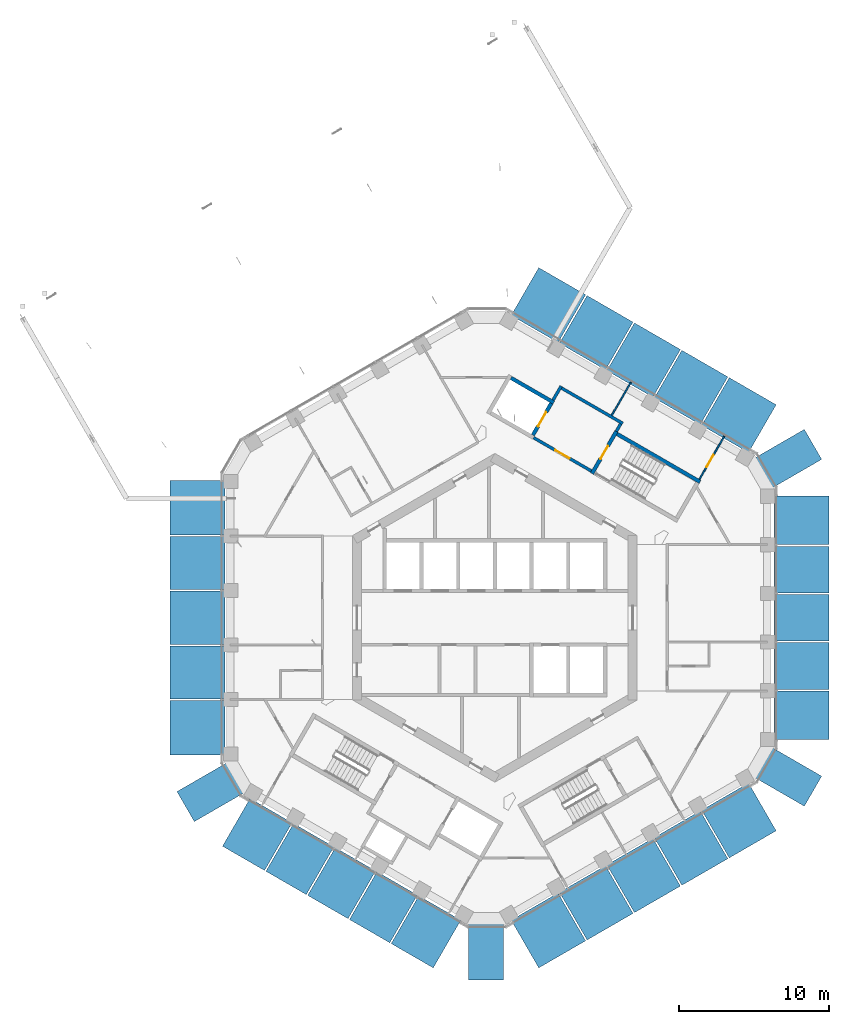
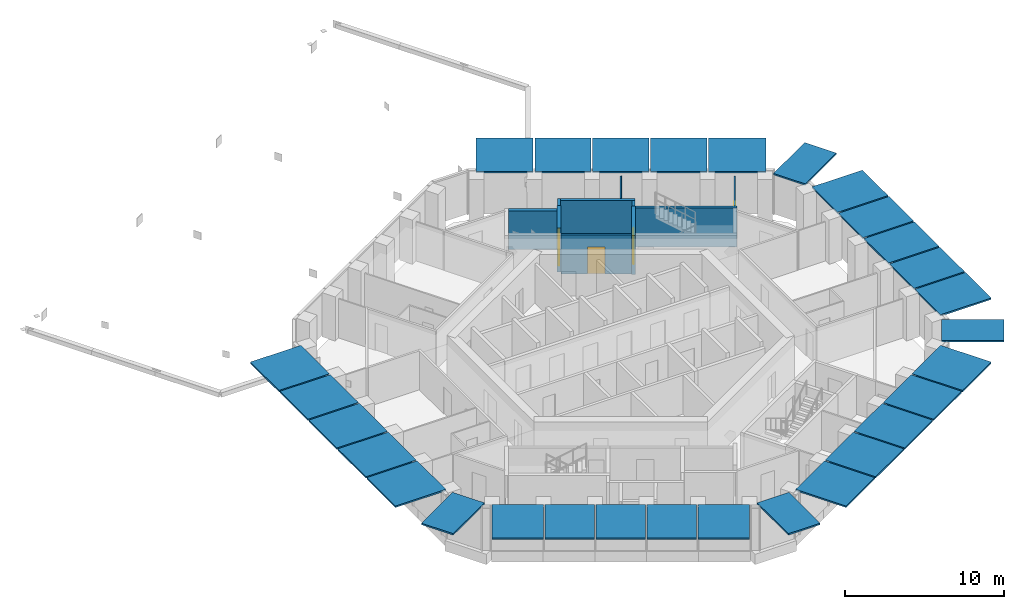
# One storey, part 15 of 21: 29 discrete accessories, 10 walls, 4 doors, 4 openings.
"""IFC4 building model written with IfcOpenShell, lengths in metres."""

from ifc_helpers import new_model, si_unit, direction, frame, frame_2d, origin, origin_2d, place, context, subcontext, project, spatial, rectangle, extrude, material, layer, layer_set, type_object, element, fill, save


model = new_model("IFC4")

# Units and contexts
model_context = context("Model", 3, precision=1e-05, world=origin(), true_north=direction((0.0, 1.0)))
body_context = subcontext(model_context, "Body", "Model", "MODEL_VIEW")
ifc_project = project(units=[si_unit("LENGTHUNIT", "METRE"), si_unit("AREAUNIT", "SQUARE_METRE"), si_unit("VOLUMEUNIT", "CUBIC_METRE"), si_unit("PLANEANGLEUNIT", "RADIAN"), si_unit("MASSUNIT", "GRAM", prefix="KILO")], contexts=[model_context])

# Site, building, storey
site_placement = place(None, origin())
site = spatial("IfcSite", under=ifc_project, at=site_placement, CompositionType="ELEMENT")
building_placement = place(site_placement, origin())
building = spatial("IfcBuilding", under=site, at=building_placement, Name="Ayvan Gate Tower", CompositionType="ELEMENT")
storey_placement = place(building_placement, frame((0.0, 0.0, 183.300048828125)))
storey = spatial("IfcBuildingStorey", under=building, at=storey_placement, Name="L49", CompositionType="ELEMENT", Elevation=183.300048828125)

# Wall
ifc_material_1 = material(Name="Plasterboard on steel stud", Category="steel")
ifc_layer_1 = layer(ifc_material_1, 0.10009765625)
ifc_layer_set_1 = layer_set([ifc_layer_1], Name="Plasterboard on steel stud")
wall_type_1 = type_object("IfcWallType", Name="WT-PART-100", PredefinedType="PARTITIONING", material=ifc_layer_set_1)
wall_1_placement = place(storey_placement, frame((7.800048828125, 13.510009765625, 0.0), z_axis=(0.0, 0.0, 1.0), x_axis=(0.50000999488, 0.866019633161, 0.0)))
element("IfcWall", 1, at=wall_1_placement, inside=storey, type_object=wall_type_1, Name="IW-L49-080", PredefinedType="PARTITIONING", context=body_context, shape_type="SweptSolid", body=[
    extrude(rectangle(XDim=2.5234375, YDim=0.10009765625, at=frame_2d((1.26171875, 0.0))), origin(), (0.0, 0.0, 1.0), 3.0),
])

# Wall, opening, door
wall_2_placement = place(storey_placement, frame((13.647705078125, 9.23876953125, 0.0), z_axis=(0.0, 0.0, 1.0), x_axis=(0.500055614084, 0.865993292597, 0.0)))
wall_2 = element("IfcWall", 2, at=wall_2_placement, inside=storey, type_object=wall_type_1, Name="IW-L49-095", PredefinedType="PARTITIONING", context=body_context, shape_type="SweptSolid", body=[
    extrude(rectangle(XDim=3.29833984375, YDim=0.10009765625, at=frame_2d((1.649169921875, 0.0))), origin(), (0.0, 0.0, 1.0), 3.0),
])
opening_1_placement = place(wall_2_placement, frame((0.9638671875, 0.0, 0.0)))
opening_1 = element("IfcOpeningElement", 3, at=opening_1_placement, cuts=wall_2, Name="Opening L49-D26", PredefinedType="OPENING", context=body_context, shape_type="SweptSolid", body=[
    extrude(rectangle(XDim=0.89990234375, YDim=2.10009765625, at=frame_2d((0.449951171875, 1.050048828125))), frame((0.0, 0.06005859375, 0.0), z_axis=(0.0, -1.0, 0.0), x_axis=(1.0, 0.0, 0.0)), (0.0, 0.0, 1.0), 0.1201171875),
])
ifc_material_2 = material(Name="Timber door leaf", Category="wood")
door_type_1 = type_object("IfcDoorType", Name="DT-900", OperationType="NOTDEFINED", PredefinedType="DOOR", material=ifc_material_2)
door_1_placement = place(opening_1_placement, origin())
door_1 = element("IfcDoor", 4, at=door_1_placement, inside=storey, type_object=door_type_1, Name="ID-L49-026", OperationType="SINGLE_SWING_LEFT", OverallHeight=2.10009765625, OverallWidth=0.89990234375, PredefinedType="DOOR", context=body_context, shape_type="SweptSolid", body=[
    extrude(rectangle(XDim=0.89990234375, YDim=2.10009765625, at=frame_2d((0.449951171875, 1.050048828125))), frame((0.0, 0.02490234375, 0.0), z_axis=(0.0, -1.0, 0.0), x_axis=(1.0, 0.0, 0.0)), (0.0, 0.0, 1.0), 0.050048828125),
])
fill(opening_1, door_1)

# Walls
ifc_layer_2 = layer(ifc_material_1, 0.199951171875)
ifc_layer_set_2 = layer_set([ifc_layer_2], Name="Plasterboard on steel stud")
wall_type_2 = type_object("IfcWallType", Name="WT-RATED-200", PredefinedType="PARTITIONING", material=ifc_layer_set_2)
wall_3_placement = place(storey_placement, frame((3.885009765625, 14.52880859375, 0.0), z_axis=(0.0, 0.0, 1.0), x_axis=(0.499997628298, 0.866026773083, 0.0)))
element("IfcWall", 5, at=wall_3_placement, inside=storey, type_object=wall_type_2, Name="IW-L49-065", PredefinedType="PARTITIONING", context=body_context, shape_type="SweptSolid", body=[
    extrude(rectangle(XDim=1.0751953125, YDim=0.199951171875, at=frame_2d((0.53759765625, 0.0))), origin(), (0.0, 0.0, 1.0), 3.0),
])
wall_4_placement = place(storey_placement, frame((4.458984375, 15.323486328125, 0.0), z_axis=(0.0, 0.0, 1.0), x_axis=(0.866016039709, -0.500016218704, 0.0)))
element("IfcWall", 6, at=wall_4_placement, inside=storey, type_object=wall_type_2, Name="IW-L49-066", PredefinedType="PARTITIONING", context=body_context, shape_type="SweptSolid", body=[
    extrude(rectangle(XDim=4.699951171875, YDim=0.199951171875, at=frame_2d((2.35009765625, 0.0))), origin(), (0.0, 0.0, 1.0), 3.0),
])

# Wall, opening, door
wall_5_placement = place(storey_placement, frame((6.4345703125, 9.794921875, 0.0), z_axis=(0.0, 0.0, 1.0), x_axis=(-0.866012907634, 0.500021643343, 0.0)))
wall_5 = element("IfcWall", 7, at=wall_5_placement, inside=storey, type_object=wall_type_2, Name="IW-L49-071", PredefinedType="PARTITIONING", context=body_context, shape_type="SweptSolid", body=[
    extrude(rectangle(XDim=4.449951171875, YDim=0.199951171875, at=frame_2d((2.22509765625, 0.0))), origin(), (0.0, 0.0, 1.0), 3.0),
])
opening_2_placement = place(wall_5_placement, frame((1.675048828125, 0.0, 0.0)))
opening_2 = element("IfcOpeningElement", 8, at=opening_2_placement, cuts=wall_5, Name="Opening L49-D13", PredefinedType="OPENING", context=body_context, shape_type="SweptSolid", body=[
    extrude(rectangle(XDim=1.10009765625, YDim=2.10009765625, at=frame_2d((0.550048828125, 1.050048828125))), frame((0.0, 0.10986328125, 0.0), z_axis=(0.0, -1.0, 0.0), x_axis=(1.0, 0.0, 0.0)), (0.0, 0.0, 1.0), 0.219970703125),
])
door_type_2 = type_object("IfcDoorType", Name="DT-1100", OperationType="NOTDEFINED", PredefinedType="DOOR", material=ifc_material_2)
door_2_placement = place(opening_2_placement, origin())
door_2 = element("IfcDoor", 9, at=door_2_placement, inside=storey, type_object=door_type_2, Name="ID-L49-013", OperationType="SINGLE_SWING_RIGHT", OverallHeight=2.10009765625, OverallWidth=1.10009765625, PredefinedType="DOOR", context=body_context, shape_type="SweptSolid", body=[
    extrude(rectangle(XDim=1.10009765625, YDim=2.10009765625, at=frame_2d((0.550048828125, 1.050048828125))), frame((0.0, 0.02490234375, 0.0), z_axis=(0.0, -1.0, 0.0), x_axis=(1.0, 0.0, 0.0)), (0.0, 0.0, 1.0), 0.050048828125),
])
fill(opening_2, door_2)

# Walls
wall_6_placement = place(storey_placement, frame((8.392822265625, 12.936767578125, 0.0), z_axis=(0.0, 0.0, 1.0), x_axis=(-0.500065409566, -0.86598763626, 0.0)))
element("IfcWall", 10, at=wall_6_placement, inside=storey, type_object=wall_type_2, Name="IW-L49-082", PredefinedType="PARTITIONING", context=body_context, shape_type="SweptSolid", body=[
    extrude(rectangle(XDim=0.5751953125, YDim=0.199951171875, at=frame_2d((0.28759765625, 0.0))), origin(), (0.0, 0.0, 1.0), 3.0),
])
ifc_material_3 = material(Name="Concrete C50/60", Category="concrete")
ifc_layer_3 = layer(ifc_material_3, 0.25)
ifc_layer_set_3 = layer_set([ifc_layer_3], Name="Concrete C50/60")
wall_type_3 = type_object("IfcWallType", Name="WT-RC-250", PredefinedType="SHEAR", material=ifc_layer_set_3)
wall_7_placement = place(storey_placement, frame((1.072998046875, 16.00830078125, 0.0), z_axis=(0.0, 0.0, 1.0), x_axis=(0.866040211805, -0.499974350878, 0.0)))
element("IfcWall", 11, at=wall_7_placement, inside=storey, type_object=wall_type_3, Name="IW-L49-053", PredefinedType="SHEAR", context=body_context, shape_type="SweptSolid", body=[
    extrude(rectangle(XDim=3.300048828125, YDim=0.25, at=frame_2d((1.64990234375, 0.0))), origin(), (0.0, 0.0, 1.0), 3.0),
])

# Wall, opening, door
wall_8_placement = place(storey_placement, frame((2.534912109375, 12.19091796875, 0.0), z_axis=(0.0, 0.0, 1.0), x_axis=(0.500061746146, 0.865989751695, 0.0)))
wall_8 = element("IfcWall", 12, at=wall_8_placement, inside=storey, type_object=wall_type_3, Name="IW-L49-059", PredefinedType="SHEAR", context=body_context, shape_type="SweptSolid", body=[
    extrude(rectangle(XDim=2.449951171875, YDim=0.25, at=frame_2d((1.22509765625, 0.0))), origin(), (0.0, 0.0, 1.0), 3.39990234375),
])
opening_3_placement = place(wall_8_placement, frame((0.675048828125, 0.0, 0.0)))
opening_3 = element("IfcOpeningElement", 13, at=opening_3_placement, cuts=wall_8, Name="Opening L49-LD-FF1", PredefinedType="OPENING", context=body_context, shape_type="SweptSolid", body=[
    extrude(rectangle(XDim=1.10009765625, YDim=2.10009765625, at=frame_2d((0.550048828125, 1.050048828125))), frame((0.0, 0.135009765625, 0.0), z_axis=(0.0, -1.0, 0.0), x_axis=(1.0, 0.0, 0.0)), (0.0, 0.0, 1.0), 0.27001953125),
])
ifc_material_4 = material(Name="Stainless steel landing door", Category="steel")
door_type_3 = type_object("IfcDoorType", Name="DT-LANDING-1100", OperationType="SLIDING_TO_LEFT", PredefinedType="DOOR", material=ifc_material_4)
door_3_placement = place(opening_3_placement, origin())
door_3 = element("IfcDoor", 14, at=door_3_placement, inside=storey, type_object=door_type_3, Name="ID-L49-014", OperationType="SLIDING_TO_LEFT", OverallHeight=2.10009765625, OverallWidth=1.10009765625, PredefinedType="DOOR", context=body_context, shape_type="SweptSolid", body=[
    extrude(rectangle(XDim=1.10009765625, YDim=2.10009765625, at=frame_2d((0.550048828125, 1.050048828125))), frame((0.0, 0.02490234375, 0.0), z_axis=(0.0, -1.0, 0.0), x_axis=(1.0, 0.0, 0.0)), (0.0, 0.0, 1.0), 0.050048828125),
])
fill(opening_3, door_3)

wall_9_placement = place(storey_placement, frame((6.480224609375, 9.624267578125, 0.0), z_axis=(0.0, 0.0, 1.0), x_axis=(0.500017246033, 0.866015446554, 0.0)))
wall_9 = element("IfcWall", 15, at=wall_9_placement, inside=storey, type_object=wall_type_3, Name="IW-L49-072", PredefinedType="SHEAR", context=body_context, shape_type="SweptSolid", body=[
    extrude(rectangle(XDim=3.25, YDim=0.25, at=frame_2d((1.625, 0.0))), origin(), (0.0, 0.0, 1.0), 3.0),
])
opening_4_placement = place(wall_9_placement, frame((1.125, 0.0, 0.0)))
opening_4 = element("IfcOpeningElement", 16, at=opening_4_placement, cuts=wall_9, Name="Opening L49-D12", PredefinedType="OPENING", context=body_context, shape_type="SweptSolid", body=[
    extrude(rectangle(XDim=1.0, YDim=2.10009765625, at=frame_2d((0.5, 1.050048828125))), frame((0.0, 0.135009765625, 0.0), z_axis=(0.0, -1.0, 0.0), x_axis=(1.0, 0.0, 0.0)), (0.0, 0.0, 1.0), 0.27001953125),
])
door_type_4 = type_object("IfcDoorType", Name="DT-1000", OperationType="NOTDEFINED", PredefinedType="DOOR", material=ifc_material_2)
door_4_placement = place(opening_4_placement, origin())
door_4 = element("IfcDoor", 17, at=door_4_placement, inside=storey, type_object=door_type_4, Name="ID-L49-012", OperationType="SINGLE_SWING_LEFT", OverallHeight=2.10009765625, OverallWidth=1.0, PredefinedType="DOOR", context=body_context, shape_type="SweptSolid", body=[
    extrude(rectangle(XDim=1.0, YDim=2.10009765625, at=frame_2d((0.5, 1.050048828125))), frame((0.0, 0.02490234375, 0.0), z_axis=(0.0, -1.0, 0.0), x_axis=(1.0, 0.0, 0.0)), (0.0, 0.0, 1.0), 0.050048828125),
])
fill(opening_4, door_4)

# Wall
wall_10_placement = place(storey_placement, frame((8.151123046875, 12.26806640625, 0.0), z_axis=(0.0, 0.0, 1.0), x_axis=(0.866025499775, -0.499999833739, 0.0)))
element("IfcWall", 18, at=wall_10_placement, inside=storey, type_object=wall_type_3, Name="IW-L49-081", PredefinedType="SHEAR", context=body_context, shape_type="SweptSolid", body=[
    extrude(rectangle(XDim=6.39990234375, YDim=0.25, at=frame_2d((3.199951171875, 0.0))), origin(), (0.0, 0.0, 1.0), 3.0),
])

# Discrete accessories
ifc_material_5 = material(Name="Stainless steel 316", Category="steel")
ifc_layer_4 = layer(ifc_material_5, 0.1201171875)
ifc_layer_set_4 = layer_set([ifc_layer_4], Name="Stainless steel 316")
discrete_accessory_type = type_object("IfcDiscreteAccessoryType", Name="Fin carrier bracket", PredefinedType="BRACKET", material=ifc_layer_set_4)
discrete_accessory_1_placement = place(storey_placement, frame((-19.857666015625, -7.340576171875, 3.27978515625), z_axis=(0.0, 0.0, 1.0), x_axis=(0.0, -1.0, 0.0)))
element("IfcDiscreteAccessory", 19, at=discrete_accessory_1_placement, inside=storey, type_object=discrete_accessory_type, Name="Fin carrier 101", PredefinedType="BRACKET", context=body_context, shape_type="SweptSolid", body=[
    extrude(rectangle(XDim=3.614501953125, YDim=3.67919921875, at=origin_2d()), origin(), (0.0, 0.0, 1.0), 0.1201171875),
])
for number, where, z_axis, x_axis, name in (
    (20, (-19.857666015625, -3.65234375, 3.27978515625), (0.0, 0.0, 1.0), (0.0, -1.0, 0.0), "Fin carrier 107"),
    (21, (-19.857666015625, -0.000244140625, 3.27978515625), (0.0, 0.0, 1.0), (0.0, -1.0, 0.0), "Fin carrier 111"),
):
    element("IfcDiscreteAccessory", number, at=place(storey_placement, frame(where, z_axis=z_axis, x_axis=x_axis)), inside=storey, type_object=discrete_accessory_type, Name=name, PredefinedType="BRACKET", context=body_context, shape_type="SweptSolid", body=[
        extrude(rectangle(XDim=3.5419921875, YDim=3.67919921875, at=origin_2d()), origin(), (0.0, 0.0, 1.0), 0.1201171875),
    ])
discrete_accessory_2_placement = place(storey_placement, frame((-19.857666015625, 3.65234375, 3.27978515625), z_axis=(0.0, 0.0, 1.0), x_axis=(0.0, -1.0, 0.0)))
element("IfcDiscreteAccessory", 22, at=discrete_accessory_2_placement, inside=storey, type_object=discrete_accessory_type, Name="Fin carrier 115", PredefinedType="BRACKET", context=body_context, shape_type="SweptSolid", body=[
    extrude(rectangle(XDim=3.54296875, YDim=3.67919921875, at=origin_2d()), origin(), (0.0, 0.0, 1.0), 0.1201171875),
])
discrete_accessory_3_placement = place(storey_placement, frame((-19.857666015625, 7.3408203125, 3.27978515625), z_axis=(0.0, 0.0, 1.0), x_axis=(0.0, -1.0, 0.0)))
element("IfcDiscreteAccessory", 23, at=discrete_accessory_3_placement, inside=storey, type_object=discrete_accessory_type, Name="Fin carrier 119", PredefinedType="BRACKET", context=body_context, shape_type="SweptSolid", body=[
    extrude(rectangle(XDim=3.614013671875, YDim=3.67919921875, at=origin_2d()), origin(), (0.0, 0.0, 1.0), 0.1201171875),
])
discrete_accessory_4_placement = place(storey_placement, frame((-18.93701171875, -11.61865234375, 3.27978515625), z_axis=(0.0, 0.0, 1.0), x_axis=(0.5, -0.866025403784, 0.0)))
element("IfcDiscreteAccessory", 24, at=discrete_accessory_4_placement, inside=storey, type_object=discrete_accessory_type, Name="Fin carrier 137", PredefinedType="BRACKET", context=body_context, shape_type="SweptSolid", body=[
    extrude(rectangle(XDim=2.314453125, YDim=3.92724609375, at=origin_2d()), origin(), (0.0, 0.0, 1.0), 0.1201171875),
])
discrete_accessory_5_placement = place(storey_placement, frame((-15.85498046875, -14.461181640625, 3.27978515625), z_axis=(0.0, 0.0, 1.0), x_axis=(0.866025403784, -0.5, 0.0)))
element("IfcDiscreteAccessory", 25, at=discrete_accessory_5_placement, inside=storey, type_object=discrete_accessory_type, Name="Fin carrier 224", PredefinedType="BRACKET", context=body_context, shape_type="SweptSolid", body=[
    extrude(rectangle(XDim=3.239013671875, YDim=3.67919921875, at=origin_2d()), origin(), (0.0, 0.0, 1.0), 0.1201171875),
])
for number, where, z_axis, x_axis, name in (
    (26, (-13.011962890625, -16.1025390625, 3.27978515625), (0.0, 0.0, 1.0), (0.866025403784, -0.5, 0.0), "Fin carrier 289"),
    (27, (-10.225830078125, -17.711181640625, 3.27978515625), (0.0, 0.0, 1.0), (0.866025403784, -0.5, 0.0), "Fin carrier 343"),
    (28, (-7.43994140625, -19.319580078125, 3.27978515625), (0.0, 0.0, 1.0), (0.866025403784, -0.5, 0.0), "Fin carrier 412"),
):
    element("IfcDiscreteAccessory", number, at=place(storey_placement, frame(where, z_axis=z_axis, x_axis=x_axis)), inside=storey, type_object=discrete_accessory_type, Name=name, PredefinedType="BRACKET", context=body_context, shape_type="SweptSolid", body=[
        extrude(rectangle(XDim=3.10693359375, YDim=3.67919921875, at=origin_2d()), origin(), (0.0, 0.0, 1.0), 0.1201171875),
    ])
discrete_accessory_6_placement = place(storey_placement, frame((-4.596435546875, -20.961181640625, 3.27978515625), z_axis=(0.0, 0.0, 1.0), x_axis=(0.866025403784, -0.5, 0.0)))
element("IfcDiscreteAccessory", 29, at=discrete_accessory_6_placement, inside=storey, type_object=discrete_accessory_type, Name="Fin carrier 450", PredefinedType="BRACKET", context=body_context, shape_type="SweptSolid", body=[
    extrude(rectangle(XDim=3.23974609375, YDim=3.67919921875, at=origin_2d()), origin(), (0.0, 0.0, 1.0), 0.1201171875),
])
discrete_accessory_7_placement = place(storey_placement, frame((-0.593505859375, -22.209228515625, 3.27978515625), z_axis=(0.0, 0.0, 1.0), x_axis=(1.0, 0.0, 0.0)))
element("IfcDiscreteAccessory", 30, at=discrete_accessory_7_placement, inside=storey, type_object=discrete_accessory_type, Name="Fin carrier 516", PredefinedType="BRACKET", context=body_context, shape_type="SweptSolid", body=[
    extrude(rectangle(XDim=2.314453125, YDim=3.92724609375, at=origin_2d()), origin(), (0.0, 0.0, 1.0), 0.1201171875),
])
discrete_accessory_8_placement = place(storey_placement, frame((3.571533203125, -20.86767578125, 3.27978515625), z_axis=(0.0, 0.0, 1.0), x_axis=(0.866025403784, 0.5, 0.0)))
element("IfcDiscreteAccessory", 31, at=discrete_accessory_8_placement, inside=storey, type_object=discrete_accessory_type, Name="Fin carrier 575", PredefinedType="BRACKET", context=body_context, shape_type="SweptSolid", body=[
    extrude(rectangle(XDim=3.614013671875, YDim=3.67919921875, at=origin_2d()), origin(), (0.0, 0.0, 1.0), 0.1201171875),
])
discrete_accessory_9_placement = place(storey_placement, frame((3.57177734375, 20.867431640625, 3.27978515625), z_axis=(0.0, 0.0, 1.0), x_axis=(-0.866025403784, 0.5, 0.0)))
element("IfcDiscreteAccessory", 32, at=discrete_accessory_9_placement, inside=storey, type_object=discrete_accessory_type, Name="Fin carrier 582", PredefinedType="BRACKET", context=body_context, shape_type="SweptSolid", body=[
    extrude(rectangle(XDim=3.614501953125, YDim=3.67919921875, at=origin_2d()), origin(), (0.0, 0.0, 1.0), 0.1201171875),
])
discrete_accessory_10_placement = place(storey_placement, frame((6.765869140625, -19.0234375, 3.27978515625), z_axis=(0.0, 0.0, 1.0), x_axis=(0.866025403784, 0.5, 0.0)))
element("IfcDiscreteAccessory", 33, at=discrete_accessory_10_placement, inside=storey, type_object=discrete_accessory_type, Name="Fin carrier 626", PredefinedType="BRACKET", context=body_context, shape_type="SweptSolid", body=[
    extrude(rectangle(XDim=3.54296875, YDim=3.67919921875, at=origin_2d()), origin(), (0.0, 0.0, 1.0), 0.1201171875),
])
for number, where, z_axis, x_axis, name in (
    (34, (6.765869140625, 19.0234375, 3.27978515625), (0.0, 0.0, 1.0), (-0.866025403784, 0.5, 0.0), "Fin carrier 634"),
    (35, (9.92919921875, -17.197265625, 3.27978515625), (0.0, 0.0, 1.0), (0.866025403784, 0.5, 0.0), "Fin carrier 684"),
    (36, (9.9287109375, 17.197509765625, 3.27978515625), (0.0, 0.0, 1.0), (-0.866025403784, 0.5, 0.0), "Fin carrier 692"),
    (37, (13.091796875, -15.37109375, 3.27978515625), (0.0, 0.0, 1.0), (0.866025403784, 0.5, 0.0), "Fin carrier 752"),
):
    element("IfcDiscreteAccessory", number, at=place(storey_placement, frame(where, z_axis=z_axis, x_axis=x_axis)), inside=storey, type_object=discrete_accessory_type, Name=name, PredefinedType="BRACKET", context=body_context, shape_type="SweptSolid", body=[
        extrude(rectangle(XDim=3.5419921875, YDim=3.67919921875, at=origin_2d()), origin(), (0.0, 0.0, 1.0), 0.1201171875),
    ])
discrete_accessory_11_placement = place(storey_placement, frame((13.091796875, 15.37109375, 3.27978515625), z_axis=(0.0, 0.0, 1.0), x_axis=(-0.866025403784, 0.5, 0.0)))
element("IfcDiscreteAccessory", 38, at=discrete_accessory_11_placement, inside=storey, type_object=discrete_accessory_type, Name="Fin carrier 754", PredefinedType="BRACKET", context=body_context, shape_type="SweptSolid", body=[
    extrude(rectangle(XDim=3.54296875, YDim=3.67919921875, at=origin_2d()), origin(), (0.0, 0.0, 1.0), 0.1201171875),
])
discrete_accessory_12_placement = place(storey_placement, frame((16.285888671875, -13.527099609375, 3.27978515625), z_axis=(0.0, 0.0, 1.0), x_axis=(0.866025403784, 0.5, 0.0)))
element("IfcDiscreteAccessory", 39, at=discrete_accessory_12_placement, inside=storey, type_object=discrete_accessory_type, Name="Fin carrier 794", PredefinedType="BRACKET", context=body_context, shape_type="SweptSolid", body=[
    extrude(rectangle(XDim=3.614501953125, YDim=3.67919921875, at=origin_2d()), origin(), (0.0, 0.0, 1.0), 0.1201171875),
])
discrete_accessory_13_placement = place(storey_placement, frame((16.2861328125, 13.52685546875, 3.27978515625), z_axis=(0.0, 0.0, 1.0), x_axis=(-0.866025403784, 0.5, 0.0)))
element("IfcDiscreteAccessory", 40, at=discrete_accessory_13_placement, inside=storey, type_object=discrete_accessory_type, Name="Fin carrier 811", PredefinedType="BRACKET", context=body_context, shape_type="SweptSolid", body=[
    extrude(rectangle(XDim=3.614013671875, YDim=3.67919921875, at=origin_2d()), origin(), (0.0, 0.0, 1.0), 0.1201171875),
])
for number, where, z_axis, x_axis, name in (
    (41, (19.530517578125, -10.590576171875, 3.27978515625), (0.0, 0.0, 1.0), (0.5, 0.866025403784, 0.0), "Fin carrier 912"),
    (42, (19.530517578125, 10.590576171875, 3.27978515625), (0.0, 0.0, 1.0), (-0.5, 0.866025403784, 0.0), "Fin carrier 913"),
):
    element("IfcDiscreteAccessory", number, at=place(storey_placement, frame(where, z_axis=z_axis, x_axis=x_axis)), inside=storey, type_object=discrete_accessory_type, Name=name, PredefinedType="BRACKET", context=body_context, shape_type="SweptSolid", body=[
        extrude(rectangle(XDim=2.314453125, YDim=3.92724609375, at=origin_2d()), origin(), (0.0, 0.0, 1.0), 0.1201171875),
    ])
discrete_accessory_14_placement = place(storey_placement, frame((20.451171875, -6.500244140625, 3.27978515625), z_axis=(0.0, 0.0, 1.0), x_axis=(0.0, 1.0, 0.0)))
element("IfcDiscreteAccessory", 43, at=discrete_accessory_14_placement, inside=storey, type_object=discrete_accessory_type, Name="Fin carrier 917", PredefinedType="BRACKET", context=body_context, shape_type="SweptSolid", body=[
    extrude(rectangle(XDim=3.239013671875, YDim=3.67919921875, at=origin_2d()), origin(), (0.0, 0.0, 1.0), 0.1201171875),
])
for number, where, z_axis, x_axis, name in (
    (44, (20.451171875, -3.21728515625, 3.27978515625), (0.0, 0.0, 1.0), (0.0, 1.0, 0.0), "Fin carrier 924"),
    (45, (20.451171875, -0.000244140625, 3.27978515625), (0.0, 0.0, 1.0), (0.0, 1.0, 0.0), "Fin carrier 931"),
    (46, (20.451171875, 3.216796875, 3.27978515625), (0.0, 0.0, 1.0), (0.0, 1.0, 0.0), "Fin carrier 935"),
):
    element("IfcDiscreteAccessory", number, at=place(storey_placement, frame(where, z_axis=z_axis, x_axis=x_axis)), inside=storey, type_object=discrete_accessory_type, Name=name, PredefinedType="BRACKET", context=body_context, shape_type="SweptSolid", body=[
        extrude(rectangle(XDim=3.10693359375, YDim=3.67919921875, at=origin_2d()), origin(), (0.0, 0.0, 1.0), 0.1201171875),
    ])
discrete_accessory_15_placement = place(storey_placement, frame((20.451171875, 6.5, 3.27978515625), z_axis=(0.0, 0.0, 1.0), x_axis=(0.0, 1.0, 0.0)))
element("IfcDiscreteAccessory", 47, at=discrete_accessory_15_placement, inside=storey, type_object=discrete_accessory_type, Name="Fin carrier 944", PredefinedType="BRACKET", context=body_context, shape_type="SweptSolid", body=[
    extrude(rectangle(XDim=3.23974609375, YDim=3.67919921875, at=origin_2d()), origin(), (0.0, 0.0, 1.0), 0.1201171875),
])

save(model, "model.ifc")
